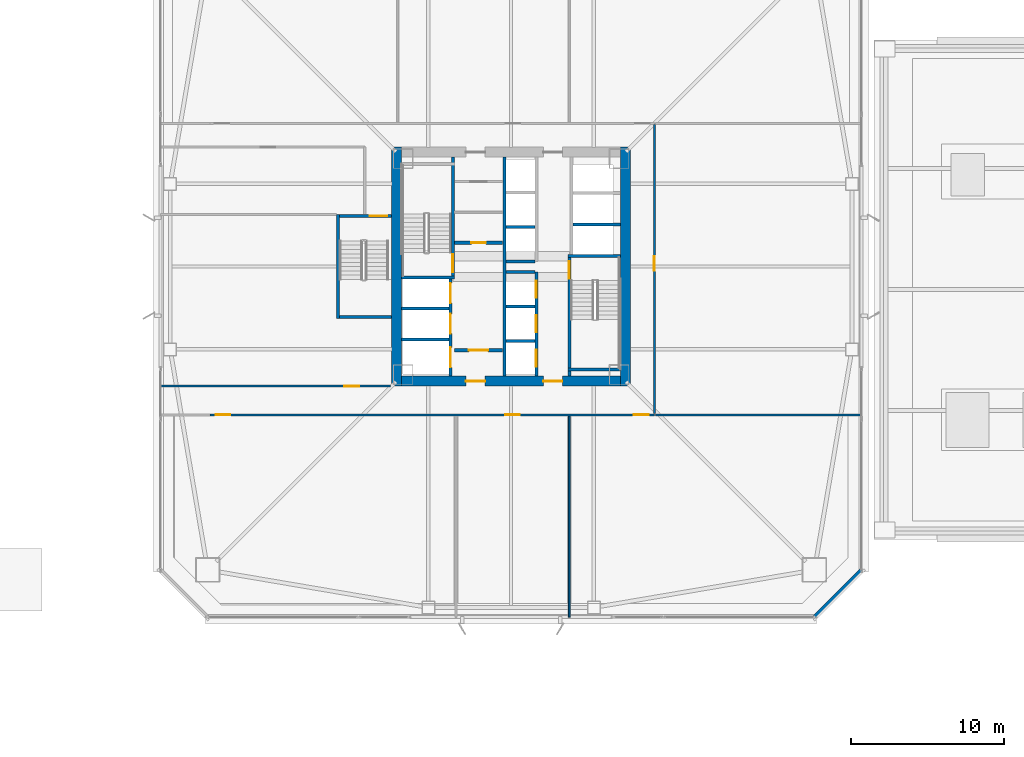
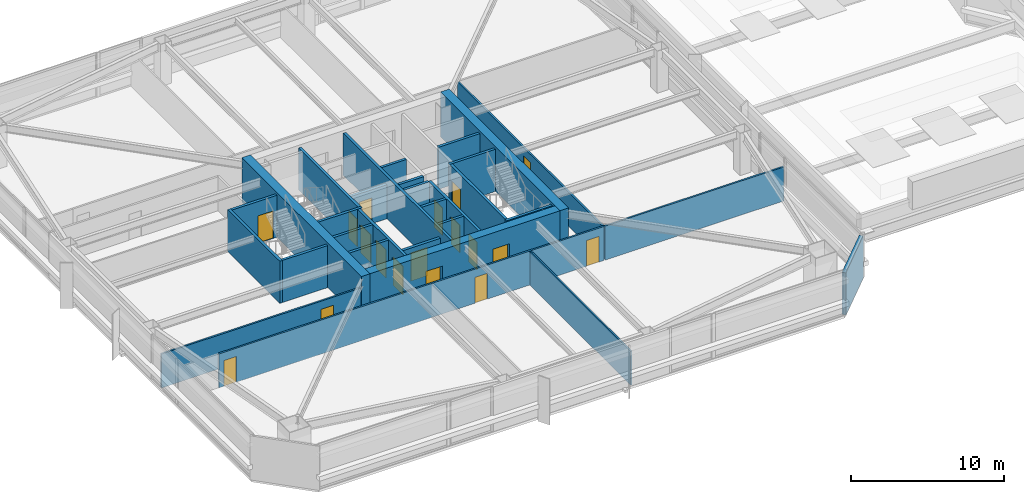
# One storey, part 43 of 62: 30 walls, 18 doors, 18 openings.
"""IFC4 building model written with IfcOpenShell, lengths in metres."""

from ifc_helpers import new_model, si_unit, direction, frame, frame_2d, origin, place, context, subcontext, project, spatial, rectangle, extrude, material, layer, layer_set, type_object, element, fill, save


model = new_model("IFC4")

# Units and contexts
model_context = context("Model", 3, precision=1e-05, world=origin(), true_north=direction((0.0, 1.0)))
body_context = subcontext(model_context, "Body", "Model", "MODEL_VIEW")
ifc_project = project(units=[si_unit("LENGTHUNIT", "METRE"), si_unit("AREAUNIT", "SQUARE_METRE"), si_unit("VOLUMEUNIT", "CUBIC_METRE"), si_unit("PLANEANGLEUNIT", "RADIAN"), si_unit("MASSUNIT", "GRAM", prefix="KILO")], contexts=[model_context])

# Site, building, storey
site_placement = place(None, origin())
site = spatial("IfcSite", under=ifc_project, at=site_placement, CompositionType="ELEMENT")
building_placement = place(site_placement, origin())
building = spatial("IfcBuilding", under=site, at=building_placement, Name="Tashvorn Skyway Center", CompositionType="ELEMENT")
storey_placement = place(building_placement, frame((0.0, 0.0, 28.14990234375)))
storey = spatial("IfcBuildingStorey", under=building, at=storey_placement, Name="L06", CompositionType="ELEMENT", Elevation=28.14990234375)

# Walls
ifc_material_1 = material(Name="Concrete C60/75", Category="concrete")
ifc_layer_1 = layer(ifc_material_1, 0.64990234375)
ifc_layer_set_1 = layer_set([ifc_layer_1], Name="Concrete C60/75")
wall_type_1 = type_object("IfcWallType", Name="WALL-CORE-650", PredefinedType="SHEAR", material=ifc_layer_set_1)
for number, where, z_axis, x_axis, name in (
    (1, (34.52490234375, 24.199951171875, 0.0), (0.0, 0.0, 1.0), (0.0, 1.0, 0.0), "Tower 1 L06 West Core Shear Wall"),
    (2, (49.47509765625, 39.800048828125, 0.0), (0.0, 0.0, 1.0), (0.0, -1.0, 0.0), "Tower 1 L06 East Core Shear Wall"),
):
    element("IfcWall", number, at=place(storey_placement, frame(where, z_axis=z_axis, x_axis=x_axis)), inside=storey, type_object=wall_type_1, Name=name, PredefinedType="SHEAR", context=body_context, shape_type="SweptSolid", body=[
        extrude(rectangle(XDim=15.60009765625, YDim=0.64990234375, at=frame_2d((7.800048828125, 0.0))), origin(), (0.0, 0.0, 1.0), 3.550048828125),
    ])

# Wall, openings, doors
wall_1_placement = place(storey_placement, frame((49.14990234375, 24.52490234375, 0.0), z_axis=(0.0, 0.0, 1.0), x_axis=(-1.0, 0.0, 0.0)))
wall_1 = element("IfcWall", 3, at=wall_1_placement, inside=storey, type_object=wall_type_1, Name="Tower 1 L06 South Core Shear Wall", PredefinedType="SHEAR", context=body_context, shape_type="SweptSolid", body=[
    extrude(rectangle(XDim=14.2998046875, YDim=0.64990234375, at=frame_2d((7.14990234375, 0.0))), origin(), (0.0, 0.0, 1.0), 3.550048828125),
])
opening_1_placement = place(wall_1_placement, frame((8.85009765625, 0.0, 0.0)))
opening_1 = element("IfcOpeningElement", 4, at=opening_1_placement, cuts=wall_1, Name="Opening D-FFL-1250", PredefinedType="OPENING", context=body_context, shape_type="SweptSolid", body=[
    extrude(rectangle(XDim=1.25, YDim=2.25, at=frame_2d((0.625, 1.125))), frame((0.0, 0.3349609375, 0.0), z_axis=(0.0, -1.0, 0.0), x_axis=(1.0, 0.0, 0.0)), (0.0, 0.0, 1.0), 0.669921875),
])
opening_2_placement = place(wall_1_placement, frame((3.800048828125, 0.0, 0.0)))
opening_2 = element("IfcOpeningElement", 5, at=opening_2_placement, cuts=wall_1, Name="Opening D-FFL-1250", PredefinedType="OPENING", context=body_context, shape_type="SweptSolid", body=[
    extrude(rectangle(XDim=1.25, YDim=2.25, at=frame_2d((0.625, 1.125))), frame((0.0, 0.3349609375, 0.0), z_axis=(0.0, -1.0, 0.0), x_axis=(1.0, 0.0, 0.0)), (0.0, 0.0, 1.0), 0.669921875),
])
ifc_material_2 = material(Name="Hollow galvanized steel fire door assembly", Category="steel")
door_type_1 = type_object("IfcDoorType", Name="DOOR-FFL-1250", OperationType="NOTDEFINED", PredefinedType="DOOR", material=ifc_material_2)
door_1_placement = place(opening_1_placement, origin())
door_1 = element("IfcDoor", 6, at=door_1_placement, inside=storey, type_object=door_type_1, Name="Tower 1 L06 Core South Firefighting Exit Door", OperationType="SINGLE_SWING_LEFT", OverallHeight=2.25, OverallWidth=1.25, PredefinedType="DOOR", context=body_context, shape_type="SweptSolid", body=[
    extrude(rectangle(XDim=1.25, YDim=2.25, at=frame_2d((0.625, 1.125))), frame((0.0, 0.02490234375, 0.0), z_axis=(0.0, -1.0, 0.0), x_axis=(1.0, 0.0, 0.0)), (0.0, 0.0, 1.0), 0.050048828125),
])
fill(opening_1, door_1)
door_2_placement = place(opening_2_placement, origin())
door_2 = element("IfcDoor", 7, at=door_2_placement, inside=storey, type_object=door_type_1, Name="Tower 1 L06 Core South Lift Lobby Door", OperationType="SINGLE_SWING_RIGHT", OverallHeight=2.25, OverallWidth=1.25, PredefinedType="DOOR", context=body_context, shape_type="SweptSolid", body=[
    extrude(rectangle(XDim=1.25, YDim=2.25, at=frame_2d((0.625, 1.125))), frame((0.0, 0.02490234375, 0.0), z_axis=(0.0, -1.0, 0.0), x_axis=(1.0, 0.0, 0.0)), (0.0, 0.0, 1.0), 0.050048828125),
])
fill(opening_2, door_2)

# Wall
ifc_material_3 = material(Name="Precast concrete C40/50", Category="concrete")
ifc_layer_2 = layer(ifc_material_3, 0.280029296875)
ifc_layer_set_2 = layer_set([ifc_layer_2], Name="Precast concrete C40/50")
wall_type_2 = type_object("IfcWallType", Name="WALL-EXT-280", PredefinedType="SOLIDWALL", material=ifc_layer_set_2)
wall_2_placement = place(storey_placement, frame((64.89990234375, 12.199951171875, 0.0), z_axis=(0.0, 0.0, 1.0), x_axis=(-0.707106781187, -0.707106781187, 0.0)))
element("IfcWall", 8, at=wall_2_placement, inside=storey, type_object=wall_type_2, Name="Tower 1 L06 SE Precast Chamfer Wall", PredefinedType="SOLIDWALL", context=body_context, shape_type="SweptSolid", body=[
    extrude(rectangle(XDim=4.3837890625, YDim=0.280029296875, at=frame_2d((2.19189453125, 0.0))), origin(), (0.0, 0.0, 1.0), 3.35009765625),
])

# Wall, opening, door
ifc_material_4 = material(Name="Concrete C40/50", Category="concrete")
ifc_layer_3 = layer(ifc_material_4, 0.219970703125)
ifc_layer_set_3 = layer_set([ifc_layer_3], Name="Concrete C40/50")
wall_type_3 = type_object("IfcWallType", Name="WALL-FFL-220", PredefinedType="SOLIDWALL", material=ifc_layer_set_3)
wall_3_placement = place(storey_placement, frame((38.300048828125, 33.56005859375, 0.0), z_axis=(0.0, 0.0, 1.0), x_axis=(1.0, 0.0, 0.0)))
wall_3 = element("IfcWall", 9, at=wall_3_placement, inside=storey, type_object=wall_type_3, Name="Tower 1 L06 Firefighting Lobby North Wall", PredefinedType="SOLIDWALL", context=body_context, shape_type="SweptSolid", body=[
    extrude(rectangle(XDim=3.14990234375, YDim=0.219970703125, at=frame_2d((1.574951171875, 0.0))), origin(), (0.0, 0.0, 1.0), 2.703125),
])
opening_3_placement = place(wall_3_placement, frame((1.10009765625, 0.0, 0.0)))
opening_3 = element("IfcOpeningElement", 10, at=opening_3_placement, cuts=wall_3, Name="Opening D-RT-950", PredefinedType="OPENING", context=body_context, shape_type="SweptSolid", body=[
    extrude(rectangle(XDim=0.949951171875, YDim=2.050048828125, at=frame_2d((0.47509765625, 1.02490234375))), frame((0.0, 0.119873046875, 0.0), z_axis=(0.0, -1.0, 0.0), x_axis=(1.0, 0.0, 0.0)), (0.0, 0.0, 1.0), 0.239990234375),
])
door_type_2 = type_object("IfcDoorType", Name="DOOR-RATED-950", OperationType="NOTDEFINED", PredefinedType="DOOR", material=ifc_material_2)
door_3_placement = place(opening_3_placement, origin())
door_3 = element("IfcDoor", 11, at=door_3_placement, inside=storey, type_object=door_type_2, Name="Tower 1 L06 Core Linen Store Door", OperationType="SINGLE_SWING_LEFT", OverallHeight=2.050048828125, OverallWidth=0.949951171875, PredefinedType="DOOR", context=body_context, shape_type="SweptSolid", body=[
    extrude(rectangle(XDim=0.949951171875, YDim=2.050048828125, at=frame_2d((0.47509765625, 1.02490234375))), frame((0.0, 0.02490234375, 0.0), z_axis=(0.0, -1.0, 0.0), x_axis=(1.0, 0.0, 0.0)), (0.0, 0.0, 1.0), 0.050048828125),
])
fill(opening_3, door_3)

wall_4_placement = place(storey_placement, frame((38.300048828125, 26.5400390625, 0.0), z_axis=(0.0, 0.0, 1.0), x_axis=(1.0, 0.0, 0.0)))
wall_4 = element("IfcWall", 12, at=wall_4_placement, inside=storey, type_object=wall_type_3, Name="Tower 1 L06 Firefighting Lobby South Wall", PredefinedType="SOLIDWALL", context=body_context, shape_type="SweptSolid", body=[
    extrude(rectangle(XDim=3.14990234375, YDim=0.219970703125, at=frame_2d((1.574951171875, 0.0))), origin(), (0.0, 0.0, 1.0), 2.703125),
])
opening_4_placement = place(wall_4_placement, frame((0.949951171875, 0.0, 0.0)))
opening_4 = element("IfcOpeningElement", 13, at=opening_4_placement, cuts=wall_4, Name="Opening D-FFL-1250", PredefinedType="OPENING", context=body_context, shape_type="SweptSolid", body=[
    extrude(rectangle(XDim=1.25, YDim=2.25, at=frame_2d((0.625, 1.125))), frame((0.0, 0.119873046875, 0.0), z_axis=(0.0, -1.0, 0.0), x_axis=(1.0, 0.0, 0.0)), (0.0, 0.0, 1.0), 0.239990234375),
])
door_4_placement = place(opening_4_placement, origin())
door_4 = element("IfcDoor", 14, at=door_4_placement, inside=storey, type_object=door_type_1, Name="Tower 1 L06 Firefighting Lobby Egress Door", OperationType="SINGLE_SWING_LEFT", OverallHeight=2.25, OverallWidth=1.25, PredefinedType="DOOR", context=body_context, shape_type="SweptSolid", body=[
    extrude(rectangle(XDim=1.25, YDim=2.25, at=frame_2d((0.625, 1.125))), frame((0.0, 0.02490234375, 0.0), z_axis=(0.0, -1.0, 0.0), x_axis=(1.0, 0.0, 0.0)), (0.0, 0.0, 1.0), 0.050048828125),
])
fill(opening_4, door_4)

# Wall
ifc_material_5 = material(Name="Gypsum board on cold-formed steel stud framing", Category="steel")
ifc_layer_4 = layer(ifc_material_5, 0.110107421875)
ifc_layer_set_4 = layer_set([ifc_layer_4], Name="Gypsum board on cold-formed steel stud framing")
wall_type_4 = type_object("IfcWallType", Name="WALL-PART-110", PredefinedType="PARTITIONING", material=ifc_layer_set_4)
wall_5_placement = place(storey_placement, frame((45.800048828125, 9.1201171875, 0.0), z_axis=(0.0, 0.0, 1.0), x_axis=(0.0, 1.0, 0.0)))
element("IfcWall", 15, at=wall_5_placement, inside=storey, type_object=wall_type_4, Name="Tower 1 L06 South Suite Partition 2", PredefinedType="PARTITIONING", context=body_context, shape_type="SweptSolid", body=[
    extrude(rectangle(XDim=13.1298828125, YDim=0.110107421875, at=frame_2d((6.56494140625, 0.0))), origin(), (0.0, 0.0, 1.0), 2.703125),
])

# Wall, openings, doors
ifc_layer_5 = layer(ifc_material_5, 0.135009765625)
ifc_layer_set_5 = layer_set([ifc_layer_5], Name="Gypsum board on cold-formed steel stud framing")
wall_type_5 = type_object("IfcWallType", Name="WALL-PART-135", PredefinedType="PARTITIONING", material=ifc_layer_set_5)
wall_6_placement = place(storey_placement, frame((51.35009765625, 22.330078125, 0.0), z_axis=(0.0, 0.0, 1.0), x_axis=(-1.0, 0.0, 0.0)))
wall_6 = element("IfcWall", 16, at=wall_6_placement, inside=storey, type_object=wall_type_5, Name="Tower 1 L06 South Suite Wall", PredefinedType="PARTITIONING", context=body_context, shape_type="SweptSolid", body=[
    extrude(rectangle(XDim=29.0, YDim=0.135009765625, at=frame_2d((14.5, 0.0))), origin(), (0.0, 0.0, 1.0), 2.703125),
])
opening_5_placement = place(wall_6_placement, frame((27.669921875, 0.0, 0.0)))
opening_5 = element("IfcOpeningElement", 17, at=opening_5_placement, cuts=wall_6, Name="Opening D-INT-950", PredefinedType="OPENING", context=body_context, shape_type="SweptSolid", body=[
    extrude(rectangle(XDim=0.949951171875, YDim=2.050048828125, at=frame_2d((0.47509765625, 1.02490234375))), frame((0.0, 0.077392578125, 0.0), z_axis=(0.0, -1.0, 0.0), x_axis=(1.0, 0.0, 0.0)), (0.0, 0.0, 1.0), 0.155029296875),
])
opening_6_placement = place(wall_6_placement, frame((8.77490234375, 0.0, 0.0)))
opening_6 = element("IfcOpeningElement", 18, at=opening_6_placement, cuts=wall_6, Name="Opening D-INT-950", PredefinedType="OPENING", context=body_context, shape_type="SweptSolid", body=[
    extrude(rectangle(XDim=0.949951171875, YDim=2.050048828125, at=frame_2d((0.47509765625, 1.02490234375))), frame((0.0, 0.077392578125, 0.0), z_axis=(0.0, -1.0, 0.0), x_axis=(1.0, 0.0, 0.0)), (0.0, 0.0, 1.0), 0.155029296875),
])
opening_7_placement = place(wall_6_placement, frame((0.3798828125, 0.0, 0.0)))
opening_7 = element("IfcOpeningElement", 19, at=opening_7_placement, cuts=wall_6, Name="Opening D-INT-950", PredefinedType="OPENING", context=body_context, shape_type="SweptSolid", body=[
    extrude(rectangle(XDim=0.949951171875, YDim=2.050048828125, at=frame_2d((0.47509765625, 1.02490234375))), frame((0.0, 0.077392578125, 0.0), z_axis=(0.0, -1.0, 0.0), x_axis=(1.0, 0.0, 0.0)), (0.0, 0.0, 1.0), 0.155029296875),
])
ifc_material_6 = material(Name="Solid-core architectural oak veneer door")
door_type_3 = type_object("IfcDoorType", Name="DOOR-INT-950", OperationType="NOTDEFINED", PredefinedType="DOOR", material=ifc_material_6)
door_5_placement = place(opening_5_placement, origin())
door_5 = element("IfcDoor", 20, at=door_5_placement, inside=storey, type_object=door_type_3, Name="Tower 1 L06 Open Plan Office Door", OperationType="SINGLE_SWING_RIGHT", OverallHeight=2.050048828125, OverallWidth=0.949951171875, PredefinedType="DOOR", context=body_context, shape_type="SweptSolid", body=[
    extrude(rectangle(XDim=0.949951171875, YDim=2.050048828125, at=frame_2d((0.47509765625, 1.02490234375))), frame((0.0, 0.02490234375, 0.0), z_axis=(0.0, -1.0, 0.0), x_axis=(1.0, 0.0, 0.0)), (0.0, 0.0, 1.0), 0.050048828125),
])
fill(opening_5, door_5)
door_6_placement = place(opening_6_placement, origin())
door_6 = element("IfcDoor", 21, at=door_6_placement, inside=storey, type_object=door_type_3, Name="Tower 1 L06 Catering Pantry Door", OperationType="SINGLE_SWING_LEFT", OverallHeight=2.050048828125, OverallWidth=0.949951171875, PredefinedType="DOOR", context=body_context, shape_type="SweptSolid", body=[
    extrude(rectangle(XDim=0.949951171875, YDim=2.050048828125, at=frame_2d((0.47509765625, 1.02490234375))), frame((0.0, 0.02490234375, 0.0), z_axis=(0.0, -1.0, 0.0), x_axis=(1.0, 0.0, 0.0)), (0.0, 0.0, 1.0), 0.050048828125),
])
fill(opening_6, door_6)
door_7_placement = place(opening_7_placement, origin())
door_7 = element("IfcDoor", 22, at=door_7_placement, inside=storey, type_object=door_type_3, Name="Tower 1 L06 Catering Pantry Door", OperationType="SINGLE_SWING_RIGHT", OverallHeight=2.050048828125, OverallWidth=0.949951171875, PredefinedType="DOOR", context=body_context, shape_type="SweptSolid", body=[
    extrude(rectangle(XDim=0.949951171875, YDim=2.050048828125, at=frame_2d((0.47509765625, 1.02490234375))), frame((0.0, 0.02490234375, 0.0), z_axis=(0.0, -1.0, 0.0), x_axis=(1.0, 0.0, 0.0)), (0.0, 0.0, 1.0), 0.050048828125),
])
fill(opening_7, door_7)

# Wall, opening, door
wall_7_placement = place(storey_placement, frame((51.35009765625, 41.27001953125, 0.0), z_axis=(0.0, 0.0, 1.0), x_axis=(0.0, -1.0, 0.0)))
wall_7 = element("IfcWall", 23, at=wall_7_placement, inside=storey, type_object=wall_type_5, Name="Tower 1 L06 East Inner Suite Wall", PredefinedType="PARTITIONING", context=body_context, shape_type="SweptSolid", body=[
    extrude(rectangle(XDim=18.860107421875, YDim=0.135009765625, at=frame_2d((9.43017578125, 0.0))), origin(), (0.0, 0.0, 1.0), 2.703125),
])
opening_8_placement = place(wall_7_placement, frame((8.57861328125, 0.0, 0.0)))
opening_8 = element("IfcOpeningElement", 24, at=opening_8_placement, cuts=wall_7, Name="Opening D-INT-950", PredefinedType="OPENING", context=body_context, shape_type="SweptSolid", body=[
    extrude(rectangle(XDim=0.949951171875, YDim=2.050048828125, at=frame_2d((0.47509765625, 1.02490234375))), frame((0.0, 0.077392578125, 0.0), z_axis=(0.0, -1.0, 0.0), x_axis=(1.0, 0.0, 0.0)), (0.0, 0.0, 1.0), 0.155029296875),
])
door_8_placement = place(opening_8_placement, origin())
door_8 = element("IfcDoor", 25, at=door_8_placement, inside=storey, type_object=door_type_3, Name="Tower 1 L06 Executive Study Lounge Door", OperationType="SINGLE_SWING_LEFT", OverallHeight=2.050048828125, OverallWidth=0.949951171875, PredefinedType="DOOR", context=body_context, shape_type="SweptSolid", body=[
    extrude(rectangle(XDim=0.949951171875, YDim=2.050048828125, at=frame_2d((0.47509765625, 1.02490234375))), frame((0.0, 0.02490234375, 0.0), z_axis=(0.0, -1.0, 0.0), x_axis=(1.0, 0.0, 0.0)), (0.0, 0.0, 1.0), 0.050048828125),
])
fill(opening_8, door_8)

# Wall
wall_8_placement = place(storey_placement, frame((51.429931640625, 22.330078125, 0.0), z_axis=(0.0, 0.0, 1.0), x_axis=(1.0, 0.0, 0.0)))
element("IfcWall", 26, at=wall_8_placement, inside=storey, type_object=wall_type_5, Name="Tower 1 L06 East Suite South Wall", PredefinedType="PARTITIONING", context=body_context, shape_type="SweptSolid", body=[
    extrude(rectangle(XDim=13.449951171875, YDim=0.135009765625, at=frame_2d((6.72509765625, 0.0))), origin(), (0.0, 0.0, 1.0), 2.703125),
])

# Wall, opening, door
wall_9_placement = place(storey_placement, frame((19.1201171875, 24.199951171875, 0.0), z_axis=(0.0, 0.0, 1.0), x_axis=(1.0, 0.0, 0.0)))
wall_9 = element("IfcWall", 27, at=wall_9_placement, inside=storey, type_object=wall_type_5, Name="Tower 1 L06 West Suite South Wall", PredefinedType="PARTITIONING", context=body_context, shape_type="SweptSolid", body=[
    extrude(rectangle(XDim=15.0, YDim=0.135009765625, at=frame_2d((7.5, 0.0))), origin(), (0.0, 0.0, 1.0), 2.703125),
])
opening_9_placement = place(wall_9_placement, frame((12.0048828125, 0.0, 0.0)))
opening_9 = element("IfcOpeningElement", 28, at=opening_9_placement, cuts=wall_9, Name="Opening D-INT-950", PredefinedType="OPENING", context=body_context, shape_type="SweptSolid", body=[
    extrude(rectangle(XDim=0.949951171875, YDim=2.050048828125, at=frame_2d((0.47509765625, 1.02490234375))), frame((0.0, 0.077392578125, 0.0), z_axis=(0.0, -1.0, 0.0), x_axis=(1.0, 0.0, 0.0)), (0.0, 0.0, 1.0), 0.155029296875),
])
door_9_placement = place(opening_9_placement, origin())
door_9 = element("IfcDoor", 29, at=door_9_placement, inside=storey, type_object=door_type_3, Name="Tower 1 L06 Public Restroom Door", OperationType="SINGLE_SWING_LEFT", OverallHeight=2.050048828125, OverallWidth=0.949951171875, PredefinedType="DOOR", context=body_context, shape_type="SweptSolid", body=[
    extrude(rectangle(XDim=0.949951171875, YDim=2.050048828125, at=frame_2d((0.47509765625, 1.02490234375))), frame((0.0, 0.02490234375, 0.0), z_axis=(0.0, -1.0, 0.0), x_axis=(1.0, 0.0, 0.0)), (0.0, 0.0, 1.0), 0.050048828125),
])
fill(opening_9, door_9)

# Walls
ifc_layer_6 = layer(ifc_material_4, 0.199951171875)
ifc_layer_set_6 = layer_set([ifc_layer_6], Name="Concrete C40/50")
wall_type_6 = type_object("IfcWallType", Name="WALL-SHAFT-200", PredefinedType="SOLIDWALL", material=ifc_layer_set_6)
for number, where, z_axis, x_axis, name in (
    (30, (34.85009765625, 27.25, 0.0), (0.0, 0.0, 1.0), (1.0, 0.0, 0.0), "Tower 1 L06 FSAE Shaft Divider"),
    (31, (34.85009765625, 29.280029296875, 0.0), (0.0, 0.0, 1.0), (1.0, 0.0, 0.0), "Tower 1 L06 FSAE Shaft Divider"),
    (32, (46.050048828125, 34.75, 0.0), (0.0, 0.0, 1.0), (1.0, 0.0, 0.0), "Tower 1 L06 High-Rise Shaft Divider"),
):
    element("IfcWall", number, at=place(storey_placement, frame(where, z_axis=z_axis, x_axis=x_axis)), inside=storey, type_object=wall_type_6, Name=name, PredefinedType="SOLIDWALL", context=body_context, shape_type="SweptSolid", body=[
        extrude(rectangle(XDim=3.099853515625, YDim=0.199951171875, at=frame_2d((1.5498046875, 0.0))), origin(), (0.0, 0.0, 1.0), 3.35009765625),
    ])

# Wall, openings, doors
wall_10_placement = place(storey_placement, frame((43.64990234375, 24.85009765625, 0.0), z_axis=(0.0, 0.0, 1.0), x_axis=(0.0, 1.0, 0.0)))
wall_10 = element("IfcWall", 33, at=wall_10_placement, inside=storey, type_object=wall_type_6, Name="Tower 1 L06 Low-Rise Core Wall", PredefinedType="SOLIDWALL", context=body_context, shape_type="SweptSolid", body=[
    extrude(rectangle(XDim=6.7998046875, YDim=0.199951171875, at=frame_2d((3.39990234375, 0.0))), origin(), (0.0, 0.0, 1.0), 3.35009765625),
])
opening_10_placement = place(wall_10_placement, frame((0.625, 0.0, 0.0)))
opening_10 = element("IfcOpeningElement", 34, at=opening_10_placement, cuts=wall_10, Name="Opening LD-LR-T1-1-L06", PredefinedType="OPENING", context=body_context, shape_type="SweptSolid", body=[
    extrude(rectangle(XDim=1.10009765625, YDim=2.199951171875, at=frame_2d((0.550048828125, 1.10009765625))), frame((0.0, 0.10986328125, 0.0), z_axis=(0.0, -1.0, 0.0), x_axis=(1.0, 0.0, 0.0)), (0.0, 0.0, 1.0), 0.219970703125),
])
opening_11_placement = place(wall_10_placement, frame((2.875, 0.0, 0.0)))
opening_11 = element("IfcOpeningElement", 35, at=opening_11_placement, cuts=wall_10, Name="Opening LD-LR-T1-2-L06", PredefinedType="OPENING", context=body_context, shape_type="SweptSolid", body=[
    extrude(rectangle(XDim=1.10009765625, YDim=2.199951171875, at=frame_2d((0.550048828125, 1.10009765625))), frame((0.0, 0.10986328125, 0.0), z_axis=(0.0, -1.0, 0.0), x_axis=(1.0, 0.0, 0.0)), (0.0, 0.0, 1.0), 0.219970703125),
])
opening_12_placement = place(wall_10_placement, frame((5.125, 0.0, 0.0)))
opening_12 = element("IfcOpeningElement", 36, at=opening_12_placement, cuts=wall_10, Name="Opening LD-LR-T1-3-L06", PredefinedType="OPENING", context=body_context, shape_type="SweptSolid", body=[
    extrude(rectangle(XDim=1.10009765625, YDim=2.199951171875, at=frame_2d((0.550048828125, 1.10009765625))), frame((0.0, 0.10986328125, 0.0), z_axis=(0.0, -1.0, 0.0), x_axis=(1.0, 0.0, 0.0)), (0.0, 0.0, 1.0), 0.219970703125),
])
ifc_material_7 = material(Name="Stainless steel landing door", Category="steel")
door_type_4 = type_object("IfcDoorType", Name="DOOR-LIFT-1100", OperationType="SLIDING_TO_LEFT", PredefinedType="DOOR", material=ifc_material_7)
door_10_placement = place(opening_10_placement, origin())
door_10 = element("IfcDoor", 37, at=door_10_placement, inside=storey, type_object=door_type_4, Name="Lift LR-T1-1 L06 Landing Door", OperationType="SLIDING_TO_LEFT", OverallHeight=2.199951171875, OverallWidth=1.10009765625, PredefinedType="DOOR", context=body_context, shape_type="SweptSolid", body=[
    extrude(rectangle(XDim=1.10009765625, YDim=2.199951171875, at=frame_2d((0.550048828125, 1.10009765625))), frame((0.0, 0.02490234375, 0.0), z_axis=(0.0, -1.0, 0.0), x_axis=(1.0, 0.0, 0.0)), (0.0, 0.0, 1.0), 0.050048828125),
])
fill(opening_10, door_10)
door_11_placement = place(opening_11_placement, origin())
door_11 = element("IfcDoor", 38, at=door_11_placement, inside=storey, type_object=door_type_4, Name="Lift LR-T1-2 L06 Landing Door", OperationType="SLIDING_TO_LEFT", OverallHeight=2.199951171875, OverallWidth=1.10009765625, PredefinedType="DOOR", context=body_context, shape_type="SweptSolid", body=[
    extrude(rectangle(XDim=1.10009765625, YDim=2.199951171875, at=frame_2d((0.550048828125, 1.10009765625))), frame((0.0, 0.02490234375, 0.0), z_axis=(0.0, -1.0, 0.0), x_axis=(1.0, 0.0, 0.0)), (0.0, 0.0, 1.0), 0.050048828125),
])
fill(opening_11, door_11)
door_12_placement = place(opening_12_placement, origin())
door_12 = element("IfcDoor", 39, at=door_12_placement, inside=storey, type_object=door_type_4, Name="Lift LR-T1-3 L06 Landing Door", OperationType="SLIDING_TO_LEFT", OverallHeight=2.199951171875, OverallWidth=1.10009765625, PredefinedType="DOOR", context=body_context, shape_type="SweptSolid", body=[
    extrude(rectangle(XDim=1.10009765625, YDim=2.199951171875, at=frame_2d((0.550048828125, 1.10009765625))), frame((0.0, 0.02490234375, 0.0), z_axis=(0.0, -1.0, 0.0), x_axis=(1.0, 0.0, 0.0)), (0.0, 0.0, 1.0), 0.050048828125),
])
fill(opening_12, door_12)

# Walls
for number, where, z_axis, x_axis, name in (
    (40, (41.669921875, 27.14990234375, 0.0), (0.0, 0.0, 1.0), (1.0, 0.0, 0.0), "Tower 1 L06 Low-Rise Shaft Divider"),
    (41, (41.669921875, 29.39990234375, 0.0), (0.0, 0.0, 1.0), (1.0, 0.0, 0.0), "Tower 1 L06 Low-Rise Shaft Divider"),
    (42, (41.669921875, 31.64990234375, 0.0), (0.0, 0.0, 1.0), (1.0, 0.0, 0.0), "Tower 1 L06 Low-Rise Shaft Divider"),
    (43, (41.669921875, 32.35009765625, 0.0), (0.0, 0.0, 1.0), (1.0, 0.0, 0.0), "Tower 1 L06 Mid-Rise Shaft Divider"),
    (44, (41.669921875, 34.60009765625, 0.0), (0.0, 0.0, 1.0), (1.0, 0.0, 0.0), "Tower 1 L06 Mid-Rise Shaft Divider"),
):
    element("IfcWall", number, at=place(storey_placement, frame(where, z_axis=z_axis, x_axis=x_axis)), inside=storey, type_object=wall_type_6, Name=name, PredefinedType="SOLIDWALL", context=body_context, shape_type="SweptSolid", body=[
        extrude(rectangle(XDim=1.880126953125, YDim=0.199951171875, at=frame_2d((0.93994140625, 0.0))), origin(), (0.0, 0.0, 1.0), 3.35009765625),
    ])

# Wall, opening, door
ifc_layer_7 = layer(ifc_material_4, 0.199951171875)
ifc_layer_set_7 = layer_set([ifc_layer_7], Name="Concrete C40/50")
wall_type_7 = type_object("IfcWallType", Name="WALL-STSHF-200", PredefinedType="SHEAR", material=ifc_layer_set_7)
wall_11_placement = place(storey_placement, frame((38.199951171875, 31.199951171875, 0.0), z_axis=(0.0, 0.0, 1.0), x_axis=(0.0, 1.0, 0.0)))
wall_11 = element("IfcWall", 45, at=wall_11_placement, inside=storey, type_object=wall_type_7, Name="Tower 1 L06 Stair 1 Enclosure Wall", PredefinedType="SHEAR", context=body_context, shape_type="SweptSolid", body=[
    extrude(rectangle(XDim=7.949951171875, YDim=0.199951171875, at=frame_2d((3.97509765625, 0.0))), origin(), (0.0, 0.0, 1.0), 3.35009765625),
])
opening_13_placement = place(wall_11_placement, frame((0.449951171875, 0.0, 0.0)))
opening_13 = element("IfcOpeningElement", 46, at=opening_13_placement, cuts=wall_11, Name="Opening D-ST-1150", PredefinedType="OPENING", context=body_context, shape_type="SweptSolid", body=[
    extrude(rectangle(XDim=1.14990234375, YDim=2.199951171875, at=frame_2d((0.574951171875, 1.10009765625))), frame((0.0, 0.10986328125, 0.0), z_axis=(0.0, -1.0, 0.0), x_axis=(1.0, 0.0, 0.0)), (0.0, 0.0, 1.0), 0.219970703125),
])
door_type_5 = type_object("IfcDoorType", Name="DOOR-STAIR-1150", OperationType="NOTDEFINED", PredefinedType="DOOR", material=ifc_material_2)
door_13_placement = place(opening_13_placement, origin())
door_13 = element("IfcDoor", 47, at=door_13_placement, inside=storey, type_object=door_type_5, Name="Tower 1 L06 Exit Stair 1 Door", OperationType="SINGLE_SWING_RIGHT", OverallHeight=2.199951171875, OverallWidth=1.14990234375, PredefinedType="DOOR", context=body_context, shape_type="SweptSolid", body=[
    extrude(rectangle(XDim=1.14990234375, YDim=2.199951171875, at=frame_2d((0.574951171875, 1.10009765625))), frame((0.0, 0.02490234375, 0.0), z_axis=(0.0, -1.0, 0.0), x_axis=(1.0, 0.0, 0.0)), (0.0, 0.0, 1.0), 0.050048828125),
])
fill(opening_13, door_13)

# Wall
wall_12_placement = place(storey_placement, frame((34.85009765625, 31.300048828125, 0.0), z_axis=(0.0, 0.0, 1.0), x_axis=(1.0, 0.0, 0.0)))
element("IfcWall", 48, at=wall_12_placement, inside=storey, type_object=wall_type_7, Name="Tower 1 L06 Stair 1 South Wall", PredefinedType="SHEAR", context=body_context, shape_type="SweptSolid", body=[
    extrude(rectangle(XDim=3.449951171875, YDim=0.199951171875, at=frame_2d((1.72509765625, 0.0))), origin(), (0.0, 0.0, 1.0), 3.35009765625),
])

# Wall, opening, door
wall_13_placement = place(storey_placement, frame((45.800048828125, 32.800048828125, 0.0), z_axis=(0.0, 0.0, 1.0), x_axis=(0.0, -1.0, 0.0)))
wall_13 = element("IfcWall", 49, at=wall_13_placement, inside=storey, type_object=wall_type_7, Name="Tower 1 L06 Stair 2 Enclosure Wall", PredefinedType="SHEAR", context=body_context, shape_type="SweptSolid", body=[
    extrude(rectangle(XDim=7.949951171875, YDim=0.199951171875, at=frame_2d((3.97509765625, 0.0))), origin(), (0.0, 0.0, 1.0), 3.35009765625),
])
opening_14_placement = place(wall_13_placement, frame((0.449951171875, 0.0, 0.0)))
opening_14 = element("IfcOpeningElement", 50, at=opening_14_placement, cuts=wall_13, Name="Opening D-ST-1150", PredefinedType="OPENING", context=body_context, shape_type="SweptSolid", body=[
    extrude(rectangle(XDim=1.14990234375, YDim=2.199951171875, at=frame_2d((0.574951171875, 1.10009765625))), frame((0.0, 0.10986328125, 0.0), z_axis=(0.0, -1.0, 0.0), x_axis=(1.0, 0.0, 0.0)), (0.0, 0.0, 1.0), 0.219970703125),
])
door_14_placement = place(opening_14_placement, origin())
door_14 = element("IfcDoor", 51, at=door_14_placement, inside=storey, type_object=door_type_5, Name="Tower 1 L06 Exit Stair 2 Door", OperationType="SINGLE_SWING_RIGHT", OverallHeight=2.199951171875, OverallWidth=1.14990234375, PredefinedType="DOOR", context=body_context, shape_type="SweptSolid", body=[
    extrude(rectangle(XDim=1.14990234375, YDim=2.199951171875, at=frame_2d((0.574951171875, 1.10009765625))), frame((0.0, 0.02490234375, 0.0), z_axis=(0.0, -1.0, 0.0), x_axis=(1.0, 0.0, 0.0)), (0.0, 0.0, 1.0), 0.050048828125),
])
fill(opening_14, door_14)

# Walls
for number, where, z_axis, x_axis, name in (
    (52, (45.699951171875, 32.699951171875, 0.0), (0.0, 0.0, 1.0), (1.0, 0.0, 0.0), "Tower 1 L06 Stair 2 North Wall"),
    (53, (45.699951171875, 25.300048828125, 0.0), (0.0, 0.0, 1.0), (1.0, 0.0, 0.0), "Tower 1 L06 Stair 2 South Wall"),
):
    element("IfcWall", number, at=place(storey_placement, frame(where, z_axis=z_axis, x_axis=x_axis)), inside=storey, type_object=wall_type_7, Name=name, PredefinedType="SHEAR", context=body_context, shape_type="SweptSolid", body=[
        extrude(rectangle(XDim=3.449951171875, YDim=0.199951171875, at=frame_2d((1.72509765625, 0.0))), origin(), (0.0, 0.0, 1.0), 3.35009765625),
    ])
wall_14_placement = place(storey_placement, frame((41.56005859375, 24.85009765625, 0.0), z_axis=(0.0, 0.0, 1.0), x_axis=(0.0, 1.0, 0.0)))
element("IfcWall", 54, at=wall_14_placement, inside=storey, type_object=wall_type_7, Name="Tower 1 L06 Firefighting Lobby East Smoke Barrier", PredefinedType="SHEAR", context=body_context, shape_type="SweptSolid", body=[
    extrude(rectangle(XDim=14.2998046875, YDim=0.199951171875, at=frame_2d((7.14990234375, 0.0))), origin(), (0.0, 0.0, 1.0), 3.35009765625),
])

# Wall, openings, doors
wall_15_placement = place(storey_placement, frame((38.050048828125, 24.85009765625, 0.0), z_axis=(0.0, 0.0, 1.0), x_axis=(0.0, 1.0, 0.0)))
wall_15 = element("IfcWall", 55, at=wall_15_placement, inside=storey, type_object=wall_type_7, Name="Tower 1 L06 FSAE and Goods Shaft Front Wall", PredefinedType="SHEAR", context=body_context, shape_type="SweptSolid", body=[
    extrude(rectangle(XDim=6.349853515625, YDim=0.199951171875, at=frame_2d((3.1748046875, 0.0))), origin(), (0.0, 0.0, 1.0), 3.35009765625),
])
opening_15_placement = place(wall_15_placement, frame((4.77490234375, 0.0, 0.0)))
opening_15 = element("IfcOpeningElement", 56, at=opening_15_placement, cuts=wall_15, Name="Opening LD-FF-T1-1-L06", PredefinedType="OPENING", context=body_context, shape_type="SweptSolid", body=[
    extrude(rectangle(XDim=1.300048828125, YDim=2.25, at=frame_2d((0.64990234375, 1.125))), frame((0.0, 0.10986328125, 0.0), z_axis=(0.0, -1.0, 0.0), x_axis=(1.0, 0.0, 0.0)), (0.0, 0.0, 1.0), 0.219970703125),
])
opening_16_placement = place(wall_15_placement, frame((2.77490234375, 0.0, 0.0)))
opening_16 = element("IfcOpeningElement", 57, at=opening_16_placement, cuts=wall_15, Name="Opening LD-FF-T1-2-L06", PredefinedType="OPENING", context=body_context, shape_type="SweptSolid", body=[
    extrude(rectangle(XDim=1.300048828125, YDim=2.25, at=frame_2d((0.64990234375, 1.125))), frame((0.0, 0.10986328125, 0.0), z_axis=(0.0, -1.0, 0.0), x_axis=(1.0, 0.0, 0.0)), (0.0, 0.0, 1.0), 0.219970703125),
])
opening_17_placement = place(wall_15_placement, frame((0.574951171875, 0.0, 0.0)))
opening_17 = element("IfcOpeningElement", 58, at=opening_17_placement, cuts=wall_15, Name="Opening LD-GD-T1-1-L06", PredefinedType="OPENING", context=body_context, shape_type="SweptSolid", body=[
    extrude(rectangle(XDim=1.300048828125, YDim=2.25, at=frame_2d((0.64990234375, 1.125))), frame((0.0, 0.10986328125, 0.0), z_axis=(0.0, -1.0, 0.0), x_axis=(1.0, 0.0, 0.0)), (0.0, 0.0, 1.0), 0.219970703125),
])
ifc_material_8 = material(Name="Stainless steel heavy-duty landing door", Category="steel")
door_type_6 = type_object("IfcDoorType", Name="DOOR-LIFT-1300", OperationType="SLIDING_TO_LEFT", PredefinedType="DOOR", material=ifc_material_8)
door_15_placement = place(opening_15_placement, origin())
door_15 = element("IfcDoor", 59, at=door_15_placement, inside=storey, type_object=door_type_6, Name="Lift FF-T1-1 L06 Landing Door", OperationType="SLIDING_TO_LEFT", OverallHeight=2.25, OverallWidth=1.300048828125, PredefinedType="DOOR", context=body_context, shape_type="SweptSolid", body=[
    extrude(rectangle(XDim=1.300048828125, YDim=2.25, at=frame_2d((0.64990234375, 1.125))), frame((0.0, 0.02490234375, 0.0), z_axis=(0.0, -1.0, 0.0), x_axis=(1.0, 0.0, 0.0)), (0.0, 0.0, 1.0), 0.050048828125),
])
fill(opening_15, door_15)
door_16_placement = place(opening_16_placement, origin())
door_16 = element("IfcDoor", 60, at=door_16_placement, inside=storey, type_object=door_type_6, Name="Lift FF-T1-2 L06 Landing Door", OperationType="SLIDING_TO_LEFT", OverallHeight=2.25, OverallWidth=1.300048828125, PredefinedType="DOOR", context=body_context, shape_type="SweptSolid", body=[
    extrude(rectangle(XDim=1.300048828125, YDim=2.25, at=frame_2d((0.64990234375, 1.125))), frame((0.0, 0.02490234375, 0.0), z_axis=(0.0, -1.0, 0.0), x_axis=(1.0, 0.0, 0.0)), (0.0, 0.0, 1.0), 0.050048828125),
])
fill(opening_16, door_16)
door_17_placement = place(opening_17_placement, origin())
door_17 = element("IfcDoor", 61, at=door_17_placement, inside=storey, type_object=door_type_6, Name="Lift GD-T1-1 L06 Landing Door", OperationType="SLIDING_TO_LEFT", OverallHeight=2.25, OverallWidth=1.300048828125, PredefinedType="DOOR", context=body_context, shape_type="SweptSolid", body=[
    extrude(rectangle(XDim=1.300048828125, YDim=2.25, at=frame_2d((0.64990234375, 1.125))), frame((0.0, 0.02490234375, 0.0), z_axis=(0.0, -1.0, 0.0), x_axis=(1.0, 0.0, 0.0)), (0.0, 0.0, 1.0), 0.050048828125),
])
fill(opening_17, door_17)

# Wall
wall_16_placement = place(storey_placement, frame((30.699951171875, 28.60009765625, 0.0), z_axis=(0.0, 0.0, 1.0), x_axis=(0.0, 1.0, 0.0)))
element("IfcWall", 62, at=wall_16_placement, inside=storey, type_object=wall_type_7, Name="Tower 1 L06 Stair 3 Outer Wall", PredefinedType="SHEAR", context=body_context, shape_type="SweptSolid", body=[
    extrude(rectangle(XDim=6.7998046875, YDim=0.199951171875, at=frame_2d((3.39990234375, 0.0))), origin(), (0.0, 0.0, 1.0), 3.35009765625),
])

# Wall, opening, door
wall_17_placement = place(storey_placement, frame((34.199951171875, 35.300048828125, 0.0), z_axis=(0.0, 0.0, 1.0), x_axis=(-1.0, 0.0, 0.0)))
wall_17 = element("IfcWall", 63, at=wall_17_placement, inside=storey, type_object=wall_type_7, Name="Tower 1 L06 Stair 3 Enclosure Wall", PredefinedType="SHEAR", context=body_context, shape_type="SweptSolid", body=[
    extrude(rectangle(XDim=3.39990234375, YDim=0.199951171875, at=frame_2d((1.699951171875, 0.0))), origin(), (0.0, 0.0, 1.0), 3.35009765625),
])
opening_18_placement = place(wall_17_placement, frame((0.27490234375, 0.0, 0.0)))
opening_18 = element("IfcOpeningElement", 64, at=opening_18_placement, cuts=wall_17, Name="Opening D-ST-1150", PredefinedType="OPENING", context=body_context, shape_type="SweptSolid", body=[
    extrude(rectangle(XDim=1.14990234375, YDim=2.199951171875, at=frame_2d((0.574951171875, 1.10009765625))), frame((0.0, 0.10986328125, 0.0), z_axis=(0.0, -1.0, 0.0), x_axis=(1.0, 0.0, 0.0)), (0.0, 0.0, 1.0), 0.219970703125),
])
door_18_placement = place(opening_18_placement, origin())
door_18 = element("IfcDoor", 65, at=door_18_placement, inside=storey, type_object=door_type_5, Name="Tower 1 L06 Exit Stair 3 Door", OperationType="SINGLE_SWING_RIGHT", OverallHeight=2.199951171875, OverallWidth=1.14990234375, PredefinedType="DOOR", context=body_context, shape_type="SweptSolid", body=[
    extrude(rectangle(XDim=1.14990234375, YDim=2.199951171875, at=frame_2d((0.574951171875, 1.10009765625))), frame((0.0, 0.02490234375, 0.0), z_axis=(0.0, -1.0, 0.0), x_axis=(1.0, 0.0, 0.0)), (0.0, 0.0, 1.0), 0.050048828125),
])
fill(opening_18, door_18)

# Wall
wall_18_placement = place(storey_placement, frame((30.800048828125, 28.699951171875, 0.0), z_axis=(0.0, 0.0, 1.0), x_axis=(1.0, 0.0, 0.0)))
element("IfcWall", 66, at=wall_18_placement, inside=storey, type_object=wall_type_7, Name="Tower 1 L06 Stair 3 South Wall", PredefinedType="SHEAR", context=body_context, shape_type="SweptSolid", body=[
    extrude(rectangle(XDim=3.39990234375, YDim=0.199951171875, at=frame_2d((1.699951171875, 0.0))), origin(), (0.0, 0.0, 1.0), 3.35009765625),
])

save(model, "model.ifc")
